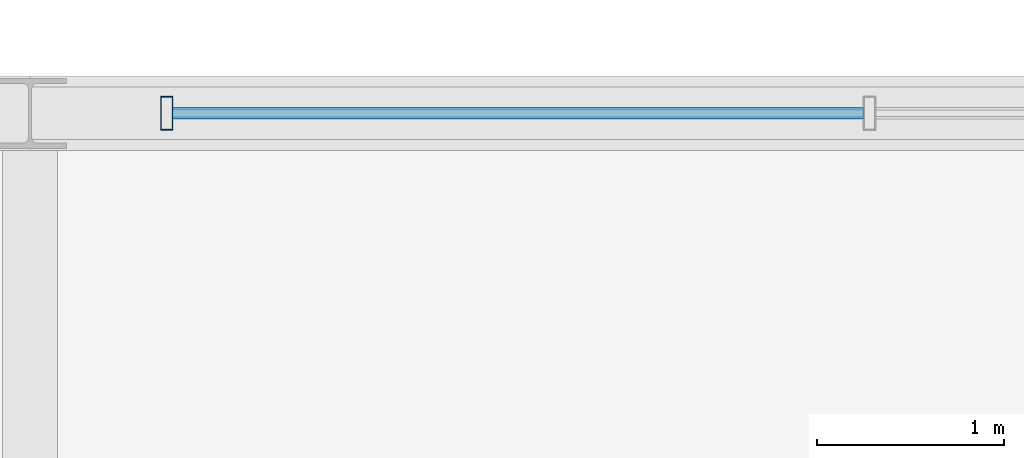
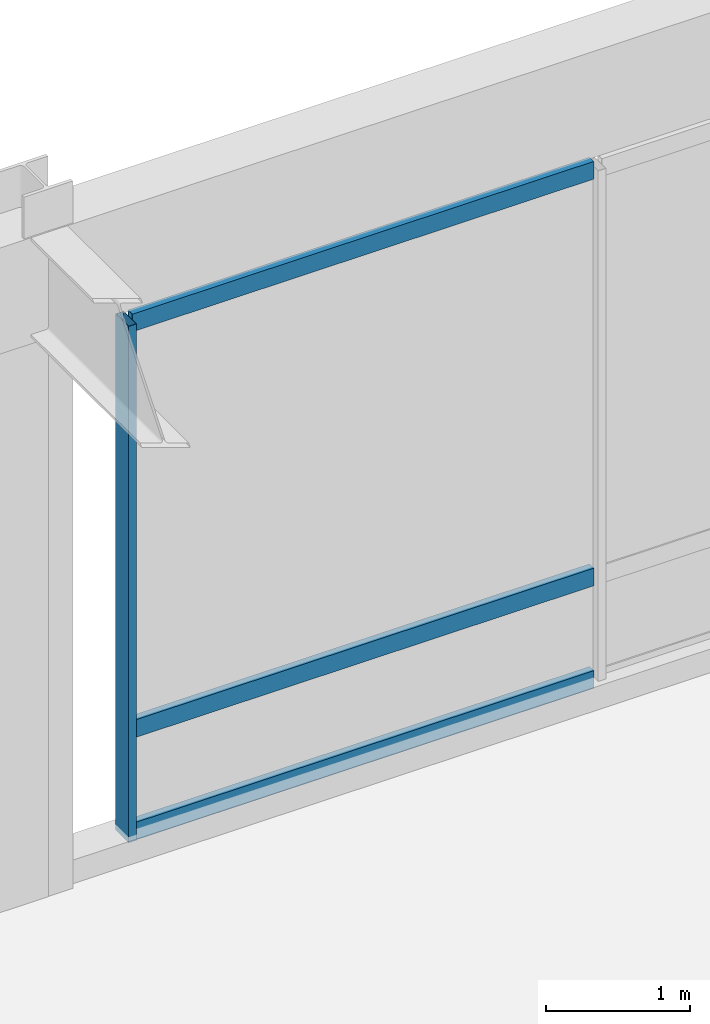
# One storey, part 79 of 108: 4 members, 1 element without a shape of its own.
"""IFC4 building model written with IfcOpenShell, lengths in metres."""

from ifc_helpers import new_model, si_unit, direction, frame, origin, origin_2d, place, context, subcontext, project, spatial, hollow_rectangle, extrude, material, material_profile, profile_set, type_object, element, aggregate, save


model = new_model("IFC4")

# Units and contexts
model_context = context("Model", 3, precision=1e-05, world=origin(), true_north=direction((0.0, 1.0)))
body_context = subcontext(model_context, "Body", "Model", "MODEL_VIEW")
ifc_project = project(units=[si_unit("LENGTHUNIT", "METRE"), si_unit("AREAUNIT", "SQUARE_METRE"), si_unit("VOLUMEUNIT", "CUBIC_METRE"), si_unit("PLANEANGLEUNIT", "RADIAN"), si_unit("MASSUNIT", "GRAM", prefix="KILO")], contexts=[model_context])

# Site, building, storey
site_placement = place(None, origin())
site = spatial("IfcSite", under=ifc_project, at=site_placement, CompositionType="ELEMENT")
building_placement = place(site_placement, origin())
building = spatial("IfcBuilding", under=site, at=building_placement, Name="Kaldorvane Square Convention Centre", CompositionType="ELEMENT")
storey_placement = place(building_placement, frame((0.0, 0.0, 12.0)))
storey = spatial("IfcBuildingStorey", under=building, at=storey_placement, Name="L02", CompositionType="ELEMENT", Elevation=12.0)

# Curtain wall, members
ifc_material = material(Name="Anodized Aluminum and Low-E Insulated Glazing", Category="aluminium")
curtain_wall_type = type_object("IfcCurtainWallType", Name="CW-UNI-P60-09", PredefinedType="USERDEFINED", material=ifc_material)
curtain_wall_placement = place(storey_placement, origin())
curtain_wall = element("IfcCurtainWall", 1, at=curtain_wall_placement, inside=storey, type_object=curtain_wall_type, Name="Curtain Wall CW-02 (L02)", ObjectType="UNITISED GLAZING", PredefinedType="USERDEFINED")
ifc_material_profile_1 = material_profile(ifc_material, hollow_rectangle(XDim=0.06500244140625, YDim=0.17999267578125, WallThickness=0.0034942626953125, at=origin_2d()), Name="CWM-180X65")
ifc_profile_set_1 = profile_set([ifc_material_profile_1], Name="Anodized Aluminum and Low-E Insulated Glazing")
member_type_1 = type_object("IfcMemberType", Name="CW-MUL-180", PredefinedType="MULLION", material=ifc_profile_set_1)
member_1_placement = place(storey_placement, frame((156.7324981689453, 117.0, 0.149993896484375), z_axis=(0.0, 0.0, 1.0), x_axis=(-1.0, 0.0, 0.0)))
member_1 = element("IfcMember", 2, at=member_1_placement, type_object=member_type_1, Name="CW-02 mullion 3", PredefinedType="MULLION", context=body_context, shape_type="SweptSolid", body=[
    extrude(hollow_rectangle(XDim=0.06500244140625, YDim=0.17999267578125, WallThickness=0.0034942626953125, at=origin_2d()), origin(), (0.0, 0.0, 1.0), 4.3800048828125),
])
ifc_material_profile_2 = material_profile(ifc_material, hollow_rectangle(XDim=0.05999755859375, YDim=0.149993896484375, WallThickness=0.003204345703125, at=origin_2d()), Name="CWT-150X60")
ifc_profile_set_2 = profile_set([ifc_material_profile_2], Name="Anodized Aluminum and Low-E Insulated Glazing")
member_type_2 = type_object("IfcMemberType", Name="CW-TRN-150", PredefinedType="USERDEFINED", material=ifc_profile_set_2)
member_2_placement = place(storey_placement, frame((160.46749877929688, 117.0, 0.17999267578125), z_axis=(-1.0, 0.0, 0.0), x_axis=(0.0, -1.0, 0.0)))
member_2 = element("IfcMember", 3, at=member_2_placement, type_object=member_type_2, Name="CW-02 transom 2.1", ObjectType="TRANSOM", PredefinedType="USERDEFINED", context=body_context, shape_type="SweptSolid", body=[
    extrude(hollow_rectangle(XDim=0.05999755859375, YDim=0.149993896484375, WallThickness=0.003204345703125, at=origin_2d()), origin(), (0.0, 0.0, 1.0), 3.7024993896484375),
])
member_3_placement = place(storey_placement, frame((160.46749877929688, 117.0, 1.0500030517578125), z_axis=(-1.0, 0.0, 0.0), x_axis=(0.0, -1.0, 0.0)))
member_3 = element("IfcMember", 4, at=member_3_placement, type_object=member_type_2, Name="CW-02 transom 2.2", ObjectType="TRANSOM", PredefinedType="USERDEFINED", context=body_context, shape_type="SweptSolid", body=[
    extrude(hollow_rectangle(XDim=0.05999755859375, YDim=0.149993896484375, WallThickness=0.003204345703125, at=origin_2d()), origin(), (0.0, 0.0, 1.0), 3.7024993896484375),
])
member_4_placement = place(storey_placement, frame((160.46749877929688, 117.0, 4.5), z_axis=(-1.0, 0.0, 0.0), x_axis=(0.0, -1.0, 0.0)))
member_4 = element("IfcMember", 5, at=member_4_placement, type_object=member_type_2, Name="CW-02 transom 2.3", ObjectType="TRANSOM", PredefinedType="USERDEFINED", context=body_context, shape_type="SweptSolid", body=[
    extrude(hollow_rectangle(XDim=0.05999755859375, YDim=0.149993896484375, WallThickness=0.003204345703125, at=origin_2d()), origin(), (0.0, 0.0, 1.0), 3.7024993896484375),
])
aggregate(curtain_wall, [member_1, member_2, member_3, member_4])

save(model, "model.ifc")
